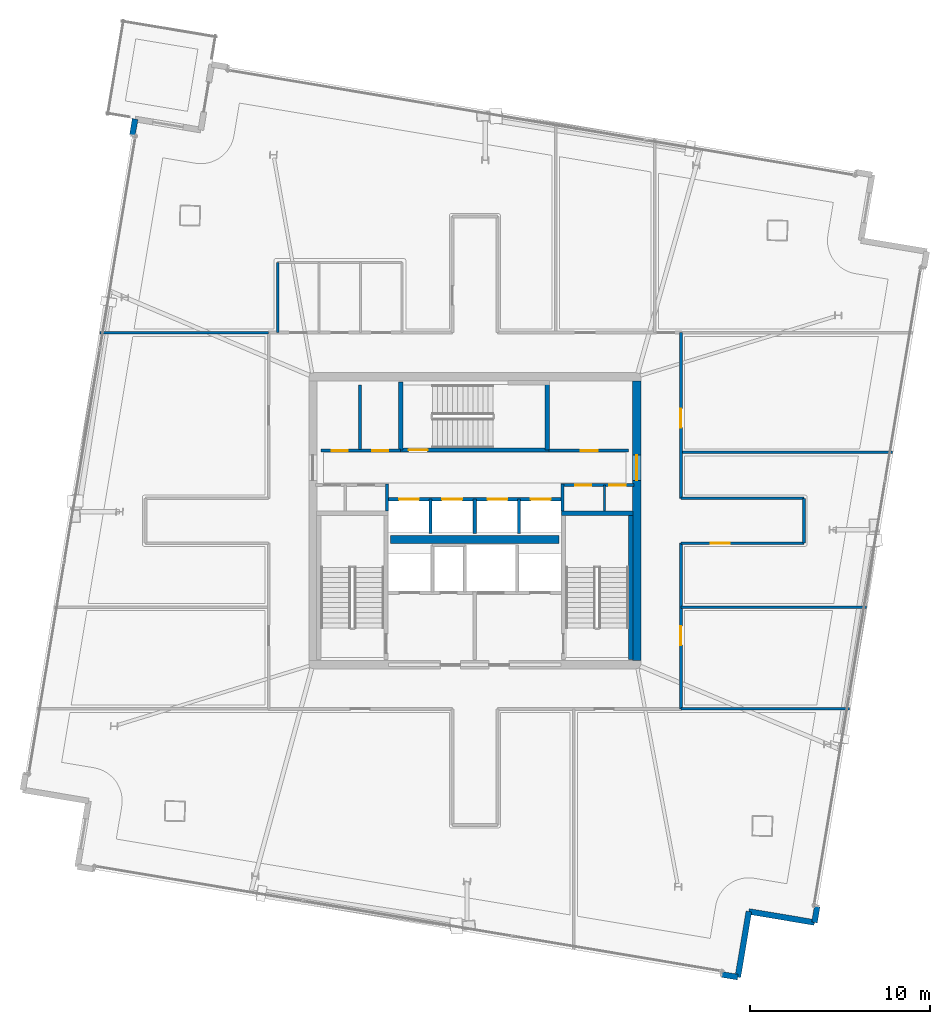
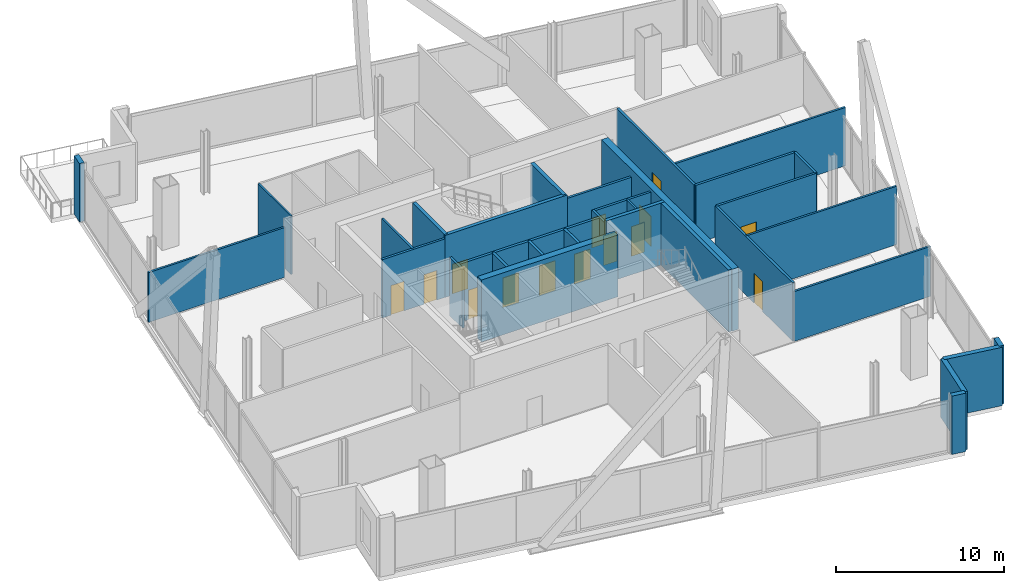
# One storey, part 14 of 18: 33 walls, 14 doors, 14 openings.
"""IFC4 building model written with IfcOpenShell, lengths in metres."""

from ifc_helpers import new_model, si_unit, direction, frame, frame_2d, origin, place, context, subcontext, project, spatial, rectangle, extrude, material, layer, layer_set, type_object, element, fill, save


model = new_model("IFC4")

# Units and contexts
model_context = context("Model", 3, precision=1e-05, world=origin(), true_north=direction((0.0, 1.0)))
body_context = subcontext(model_context, "Body", "Model", "MODEL_VIEW")
ifc_project = project(units=[si_unit("LENGTHUNIT", "METRE"), si_unit("AREAUNIT", "SQUARE_METRE"), si_unit("VOLUMEUNIT", "CUBIC_METRE"), si_unit("PLANEANGLEUNIT", "RADIAN"), si_unit("MASSUNIT", "GRAM", prefix="KILO")], contexts=[model_context])

# Site, building, storey
site_placement = place(None, origin())
site = spatial("IfcSite", under=ifc_project, at=site_placement, CompositionType="ELEMENT")
building_placement = place(site_placement, origin())
building = spatial("IfcBuilding", under=site, at=building_placement, Name="Haldenkirk Collegiate Tower", CompositionType="ELEMENT")
storey_placement = place(building_placement, frame((0.0, 0.0, 298.199951171875)))
storey = spatial("IfcBuildingStorey", under=building, at=storey_placement, Name="L75", CompositionType="ELEMENT", Elevation=298.199951171875)

# Wall, opening, door
ifc_material_1 = material(Name="Concrete f'c 55 MPa", Category="concrete")
ifc_layer_1 = layer(ifc_material_1, 0.449951171875)
ifc_layer_set_1 = layer_set([ifc_layer_1], Name="Concrete f'c 55 MPa")
wall_type_1 = type_object("IfcWallType", Name="WL-CORE-450", PredefinedType="SHEAR", material=ifc_layer_set_1)
wall_1_placement = place(storey_placement, frame((45.0, 18.22509765625, 0.0), z_axis=(0.0, 0.0, 1.0), x_axis=(0.0, 1.0, 0.0)))
wall_1 = element("IfcWall", 1, at=wall_1_placement, inside=storey, type_object=wall_type_1, Name="L75 central core shear wall E", PredefinedType="SHEAR", context=body_context, shape_type="SweptSolid", body=[
    extrude(rectangle(XDim=15.5498046875, YDim=0.449951171875, at=frame_2d((7.77490234375, 0.0))), origin(), (0.0, 0.0, 1.0), 4.5),
])
opening_1_placement = place(wall_1_placement, frame((10.014892578125, 0.0, 0.0)))
opening_1 = element("IfcOpeningElement", 2, at=opening_1_placement, cuts=wall_1, Name="Opening D-03", PredefinedType="OPENING", context=body_context, shape_type="SweptSolid", body=[
    extrude(rectangle(XDim=1.39990234375, YDim=2.199951171875, at=frame_2d((0.699951171875, 1.10009765625))), frame((0.0, 0.23486328125, 0.0), z_axis=(0.0, -1.0, 0.0), x_axis=(1.0, 0.0, 0.0)), (0.0, 0.0, 1.0), 0.469970703125),
])
ifc_material_2 = material(Name="Galvanized fire-rated hollow steel door", Category="steel")
ifc_layer_2 = layer(ifc_material_2, 0.06005859375)
ifc_layer_set_2 = layer_set([ifc_layer_2], Name="Galvanized fire-rated hollow steel door")
door_type_1 = type_object("IfcDoorType", Name="DR-LOBBY-FD90-1400", OperationType="NOTDEFINED", PredefinedType="DOOR", material=ifc_layer_set_2)
door_1_placement = place(opening_1_placement, origin())
door_1 = element("IfcDoor", 3, at=door_1_placement, inside=storey, type_object=door_type_1, Name="L75 east lift lobby portal", OperationType="DOUBLE_DOOR_SINGLE_SWING", OverallHeight=2.199951171875, OverallWidth=1.39990234375, PredefinedType="DOOR", context=body_context, shape_type="SweptSolid", body=[
    extrude(rectangle(XDim=1.39990234375, YDim=2.199951171875, at=frame_2d((0.699951171875, 1.10009765625))), frame((0.0, 0.02490234375, 0.0), z_axis=(0.0, -1.0, 0.0), x_axis=(1.0, 0.0, 0.0)), (0.0, 0.0, 1.0), 0.050048828125),
])
fill(opening_1, door_1)

# Walls
wall_2_placement = place(storey_placement, frame((31.31005859375, 24.949951171875, 0.0), z_axis=(0.0, 0.0, 1.0), x_axis=(1.0, 0.0, 0.0)))
element("IfcWall", 4, at=wall_2_placement, inside=storey, type_object=wall_type_1, Name="L75 central core spine shear wall", PredefinedType="SHEAR", context=body_context, shape_type="SweptSolid", body=[
    extrude(rectangle(XDim=9.3798828125, YDim=0.449951171875, at=frame_2d((4.68994140625, 0.0))), origin(), (0.0, 0.0, 1.0), 4.5),
])
ifc_material_3 = material(Name="Precast concrete f'c 40 MPa", Category="concrete")
ifc_layer_3 = layer(ifc_material_3, 0.320068359375)
ifc_layer_set_3 = layer_set([ifc_layer_3], Name="Precast concrete f'c 40 MPa")
wall_type_2 = type_object("IfcWallType", Name="WL-EXT-TWR-320", PredefinedType="STANDARD", material=ifc_layer_set_3)
for number, where, z_axis, x_axis, name in (
    (5, (55.023193359375, 4.56640625, 0.0), (0.0, 0.0, 1.0), (-0.164926823442, -0.98630580598, 0.0), "L75 precast corner pier SR"),
    (6, (16.976806640625, 47.43359375, 0.0), (0.0, 0.0, 1.0), (0.164926823442, 0.98630580598, 0.0), "L75 precast corner pier NR"),
    (7, (50.61474609375, 0.64013671875, 0.0), (0.0, 0.0, 1.0), (-0.98630580598, 0.164926823442, 0.0), "L75 precast corner pier WL"),
):
    element("IfcWall", number, at=place(storey_placement, frame(where, z_axis=z_axis, x_axis=x_axis)), inside=storey, type_object=wall_type_2, Name=name, PredefinedType="STANDARD", context=body_context, shape_type="SweptSolid", body=[
        extrude(rectangle(XDim=0.89990234375, YDim=0.320068359375, at=frame_2d((0.449951171875, 0.0))), origin(), (0.0, 0.0, 1.0), 4.239990234375),
    ])
for number, where, z_axis, x_axis, name in (
    (8, (51.2255859375, 4.289306640625, 0.0), (0.0, 0.0, 1.0), (-0.165094463979, -0.986277759033, 0.0), "L75 bronze precast notch wall 11"),
    (9, (54.874755859375, 3.6787109375, 0.0), (0.0, 0.0, 1.0), (-0.986288501332, 0.165030276432, 0.0), "L75 bronze precast notch wall 12"),
):
    element("IfcWall", number, at=place(storey_placement, frame(where, z_axis=z_axis, x_axis=x_axis)), inside=storey, type_object=wall_type_2, Name=name, PredefinedType="STANDARD", context=body_context, shape_type="SweptSolid", body=[
        extrude(rectangle(XDim=3.699951171875, YDim=0.320068359375, at=frame_2d((1.85009765625, 0.0))), origin(), (0.0, 0.0, 1.0), 4.239990234375),
    ])
ifc_material_4 = material(Name="Acoustic fire-rated gypsum partition", Category="concrete")
ifc_layer_4 = layer(ifc_material_4, 0.159912109375)
ifc_layer_set_4 = layer_set([ifc_layer_4], Name="Acoustic fire-rated gypsum partition")
wall_type_3 = type_object("IfcWallType", Name="WL-INT-CORR-160", PredefinedType="PARTITIONING", material=ifc_layer_set_4)
wall_3_placement = place(storey_placement, frame((31.1201171875, 26.5400390625, 0.0), z_axis=(0.0, 0.0, 1.0), x_axis=(0.0, 1.0, 0.0)))
element("IfcWall", 10, at=wall_3_placement, inside=storey, type_object=wall_type_3, Name="L75 interior partition IW-L75-VCSW-E", PredefinedType="PARTITIONING", context=body_context, shape_type="SweptSolid", body=[
    extrude(rectangle(XDim=1.510009765625, YDim=0.159912109375, at=frame_2d((0.7548828125, 0.0))), origin(), (0.0, 0.0, 1.0), 4.239990234375),
])

# Wall, openings, doors
wall_4_placement = place(storey_placement, frame((40.800048828125, 27.97998046875, 0.0), z_axis=(0.0, 0.0, 1.0), x_axis=(1.0, 0.0, 0.0)))
wall_4 = element("IfcWall", 11, at=wall_4_placement, inside=storey, type_object=wall_type_3, Name="L75 interior partition IW-L75-VCSE-N", PredefinedType="PARTITIONING", context=body_context, shape_type="SweptSolid", body=[
    extrude(rectangle(XDim=4.050048828125, YDim=0.159912109375, at=frame_2d((2.02490234375, 0.0))), origin(), (0.0, 0.0, 1.0), 4.239990234375),
])
opening_2_placement = place(wall_4_placement, frame((0.77001953125, 0.0, 0.0)))
opening_2 = element("IfcOpeningElement", 12, at=opening_2_placement, cuts=wall_4, Name="Opening D-11", PredefinedType="OPENING", context=body_context, shape_type="SweptSolid", body=[
    extrude(rectangle(XDim=0.89990234375, YDim=2.14990234375, at=frame_2d((0.449951171875, 1.074951171875))), frame((0.0, 0.08984375, 0.0), z_axis=(0.0, -1.0, 0.0), x_axis=(1.0, 0.0, 0.0)), (0.0, 0.0, 1.0), 0.179931640625),
])
opening_3_placement = place(wall_4_placement, frame((2.679931640625, 0.0, 0.0)))
opening_3 = element("IfcOpeningElement", 13, at=opening_3_placement, cuts=wall_4, Name="Opening D-11", PredefinedType="OPENING", context=body_context, shape_type="SweptSolid", body=[
    extrude(rectangle(XDim=0.89990234375, YDim=2.14990234375, at=frame_2d((0.449951171875, 1.074951171875))), frame((0.0, 0.08984375, 0.0), z_axis=(0.0, -1.0, 0.0), x_axis=(1.0, 0.0, 0.0)), (0.0, 0.0, 1.0), 0.179931640625),
])
ifc_material_5 = material(Name="Solid-core architectural oak fire door", Category="wood")
ifc_layer_5 = layer(ifc_material_5, 0.06005859375)
ifc_layer_set_5 = layer_set([ifc_layer_5], Name="Solid-core architectural oak fire door")
door_type_2 = type_object("IfcDoorType", Name="DR-INT-FD60-900", OperationType="NOTDEFINED", PredefinedType="DOOR", material=ifc_layer_set_5)
door_2_placement = place(opening_2_placement, origin())
door_2 = element("IfcDoor", 14, at=door_2_placement, inside=storey, type_object=door_type_2, Name="L75 core archive door", OperationType="SINGLE_SWING_RIGHT", OverallHeight=2.14990234375, OverallWidth=0.89990234375, PredefinedType="DOOR", context=body_context, shape_type="SweptSolid", body=[
    extrude(rectangle(XDim=0.89990234375, YDim=2.14990234375, at=frame_2d((0.449951171875, 1.074951171875))), frame((0.0, 0.02490234375, 0.0), z_axis=(0.0, -1.0, 0.0), x_axis=(1.0, 0.0, 0.0)), (0.0, 0.0, 1.0), 0.050048828125),
])
fill(opening_2, door_2)
door_3_placement = place(opening_3_placement, origin())
door_3 = element("IfcDoor", 15, at=door_3_placement, inside=storey, type_object=door_type_2, Name="L75 core telecom door", OperationType="SINGLE_SWING_LEFT", OverallHeight=2.14990234375, OverallWidth=0.89990234375, PredefinedType="DOOR", context=body_context, shape_type="SweptSolid", body=[
    extrude(rectangle(XDim=0.89990234375, YDim=2.14990234375, at=frame_2d((0.449951171875, 1.074951171875))), frame((0.0, 0.02490234375, 0.0), z_axis=(0.0, -1.0, 0.0), x_axis=(1.0, 0.0, 0.0)), (0.0, 0.0, 1.0), 0.050048828125),
])
fill(opening_3, door_3)

# Wall
wall_5_placement = place(storey_placement, frame((40.8798828125, 26.5400390625, 0.0), z_axis=(0.0, 0.0, 1.0), x_axis=(0.0, 1.0, 0.0)))
element("IfcWall", 16, at=wall_5_placement, inside=storey, type_object=wall_type_3, Name="L75 interior partition IW-L75-VCSE-W", PredefinedType="PARTITIONING", context=body_context, shape_type="SweptSolid", body=[
    extrude(rectangle(XDim=1.510009765625, YDim=0.159912109375, at=frame_2d((0.7548828125, 0.0))), origin(), (0.0, 0.0, 1.0), 4.239990234375),
])

# Wall, openings, doors
wall_6_placement = place(storey_placement, frame((27.449951171875, 29.89990234375, 0.0), z_axis=(0.0, 0.0, 1.0), x_axis=(1.0, 0.0, 0.0)))
wall_6 = element("IfcWall", 17, at=wall_6_placement, inside=storey, type_object=wall_type_3, Name="L75 interior partition IW-L75-PLS", PredefinedType="PARTITIONING", context=body_context, shape_type="SweptSolid", body=[
    extrude(rectangle(XDim=4.429931640625, YDim=0.159912109375, at=frame_2d((2.21484375, 0.0))), origin(), (0.0, 0.0, 1.0), 4.239990234375),
])
opening_4_placement = place(wall_6_placement, frame((0.60009765625, 0.0, 0.0)))
opening_4 = element("IfcOpeningElement", 18, at=opening_4_placement, cuts=wall_6, Name="Opening D-11", PredefinedType="OPENING", context=body_context, shape_type="SweptSolid", body=[
    extrude(rectangle(XDim=0.89990234375, YDim=2.14990234375, at=frame_2d((0.449951171875, 1.074951171875))), frame((0.0, 0.08984375, 0.0), z_axis=(0.0, -1.0, 0.0), x_axis=(1.0, 0.0, 0.0)), (0.0, 0.0, 1.0), 0.179931640625),
])
opening_5_placement = place(wall_6_placement, frame((2.85009765625, 0.0, 0.0)))
opening_5 = element("IfcOpeningElement", 19, at=opening_5_placement, cuts=wall_6, Name="Opening D-11", PredefinedType="OPENING", context=body_context, shape_type="SweptSolid", body=[
    extrude(rectangle(XDim=0.89990234375, YDim=2.14990234375, at=frame_2d((0.449951171875, 1.074951171875))), frame((0.0, 0.08984375, 0.0), z_axis=(0.0, -1.0, 0.0), x_axis=(1.0, 0.0, 0.0)), (0.0, 0.0, 1.0), 0.179931640625),
])
door_4_placement = place(opening_4_placement, origin())
door_4 = element("IfcDoor", 20, at=door_4_placement, inside=storey, type_object=door_type_2, Name="L75 tea kitchen door", OperationType="SINGLE_SWING_RIGHT", OverallHeight=2.14990234375, OverallWidth=0.89990234375, PredefinedType="DOOR", context=body_context, shape_type="SweptSolid", body=[
    extrude(rectangle(XDim=0.89990234375, YDim=2.14990234375, at=frame_2d((0.449951171875, 1.074951171875))), frame((0.0, 0.02490234375, 0.0), z_axis=(0.0, -1.0, 0.0), x_axis=(1.0, 0.0, 0.0)), (0.0, 0.0, 1.0), 0.050048828125),
])
fill(opening_4, door_4)
door_5_placement = place(opening_5_placement, origin())
door_5 = element("IfcDoor", 21, at=door_5_placement, inside=storey, type_object=door_type_2, Name="L75 IT room door", OperationType="SINGLE_SWING_LEFT", OverallHeight=2.14990234375, OverallWidth=0.89990234375, PredefinedType="DOOR", context=body_context, shape_type="SweptSolid", body=[
    extrude(rectangle(XDim=0.89990234375, YDim=2.14990234375, at=frame_2d((0.449951171875, 1.074951171875))), frame((0.0, 0.02490234375, 0.0), z_axis=(0.0, -1.0, 0.0), x_axis=(1.0, 0.0, 0.0)), (0.0, 0.0, 1.0), 0.050048828125),
])
fill(opening_5, door_5)

# Wall, opening, door
wall_7_placement = place(storey_placement, frame((40.1201171875, 29.89990234375, 0.0), z_axis=(0.0, 0.0, 1.0), x_axis=(1.0, 0.0, 0.0)))
wall_7 = element("IfcWall", 22, at=wall_7_placement, inside=storey, type_object=wall_type_3, Name="L75 interior partition IW-L75-PMS", PredefinedType="PARTITIONING", context=body_context, shape_type="SweptSolid", body=[
    extrude(rectangle(XDim=4.429931640625, YDim=0.159912109375, at=frame_2d((2.21484375, 0.0))), origin(), (0.0, 0.0, 1.0), 4.239990234375),
])
opening_6_placement = place(wall_7_placement, frame((1.7548828125, 0.0, 0.0)))
opening_6 = element("IfcOpeningElement", 23, at=opening_6_placement, cuts=wall_7, Name="Opening D-10", PredefinedType="OPENING", context=body_context, shape_type="SweptSolid", body=[
    extrude(rectangle(XDim=0.949951171875, YDim=2.14990234375, at=frame_2d((0.47509765625, 1.074951171875))), frame((0.0, 0.08984375, 0.0), z_axis=(0.0, -1.0, 0.0), x_axis=(1.0, 0.0, 0.0)), (0.0, 0.0, 1.0), 0.179931640625),
])
ifc_layer_6 = layer(ifc_material_5, 0.06005859375)
ifc_layer_set_6 = layer_set([ifc_layer_6], Name="Solid-core architectural oak fire door")
door_type_3 = type_object("IfcDoorType", Name="DR-INT-FD60-950", OperationType="NOTDEFINED", PredefinedType="DOOR", material=ifc_layer_set_6)
door_6_placement = place(opening_6_placement, origin())
door_6 = element("IfcDoor", 24, at=door_6_placement, inside=storey, type_object=door_type_3, Name="L75 reference archive door", OperationType="SINGLE_SWING_RIGHT", OverallHeight=2.14990234375, OverallWidth=0.949951171875, PredefinedType="DOOR", context=body_context, shape_type="SweptSolid", body=[
    extrude(rectangle(XDim=0.949951171875, YDim=2.14990234375, at=frame_2d((0.47509765625, 1.074951171875))), frame((0.0, 0.02490234375, 0.0), z_axis=(0.0, -1.0, 0.0), x_axis=(1.0, 0.0, 0.0)), (0.0, 0.0, 1.0), 0.050048828125),
])
fill(opening_6, door_6)

wall_8_placement = place(storey_placement, frame((47.449951171875, 15.550048828125, 0.0), z_axis=(0.0, 0.0, 1.0), x_axis=(0.0, 1.0, 0.0)))
wall_8 = element("IfcWall", 25, at=wall_8_placement, inside=storey, type_object=wall_type_3, Name="L75 interior partition IW-L75-CE1", PredefinedType="PARTITIONING", context=body_context, shape_type="SweptSolid", body=[
    extrude(rectangle(XDim=9.199951171875, YDim=0.159912109375, at=frame_2d((4.60009765625, 0.0))), origin(), (0.0, 0.0, 1.0), 4.239990234375),
])
opening_7_placement = place(wall_8_placement, frame((3.54296875, 0.0, 0.0)))
opening_7 = element("IfcOpeningElement", 26, at=opening_7_placement, cuts=wall_8, Name="Opening D-09", PredefinedType="OPENING", context=body_context, shape_type="SweptSolid", body=[
    extrude(rectangle(XDim=1.050048828125, YDim=2.14990234375, at=frame_2d((0.52490234375, 1.074951171875))), frame((0.0, 0.08984375, 0.0), z_axis=(0.0, -1.0, 0.0), x_axis=(1.0, 0.0, 0.0)), (0.0, 0.0, 1.0), 0.179931640625),
])
ifc_layer_7 = layer(ifc_material_5, 0.06005859375)
ifc_layer_set_7 = layer_set([ifc_layer_7], Name="Solid-core architectural oak fire door")
door_type_4 = type_object("IfcDoorType", Name="DR-INT-FD60-1050", OperationType="NOTDEFINED", PredefinedType="DOOR", material=ifc_layer_set_7)
door_7_placement = place(opening_7_placement, origin())
door_7 = element("IfcDoor", 27, at=door_7_placement, inside=storey, type_object=door_type_4, Name="L75 Campus Design Shop 8 door", OperationType="SINGLE_SWING_LEFT", OverallHeight=2.14990234375, OverallWidth=1.050048828125, PredefinedType="DOOR", context=body_context, shape_type="SweptSolid", body=[
    extrude(rectangle(XDim=1.050048828125, YDim=2.14990234375, at=frame_2d((0.52490234375, 1.074951171875))), frame((0.0, 0.02490234375, 0.0), z_axis=(0.0, -1.0, 0.0), x_axis=(1.0, 0.0, 0.0)), (0.0, 0.0, 1.0), 0.050048828125),
])
fill(opening_7, door_7)

wall_9_placement = place(storey_placement, frame((47.449951171875, 27.25, 0.0), z_axis=(0.0, 0.0, 1.0), x_axis=(0.0, 1.0, 0.0)))
wall_9 = element("IfcWall", 28, at=wall_9_placement, inside=storey, type_object=wall_type_3, Name="L75 interior partition IW-L75-CE2", PredefinedType="PARTITIONING", context=body_context, shape_type="SweptSolid", body=[
    extrude(rectangle(XDim=9.199951171875, YDim=0.159912109375, at=frame_2d((4.60009765625, 0.0))), origin(), (0.0, 0.0, 1.0), 4.239990234375),
])
opening_8_placement = place(wall_9_placement, frame((3.927001953125, 0.0, 0.0)))
opening_8 = element("IfcOpeningElement", 29, at=opening_8_placement, cuts=wall_9, Name="Opening D-09", PredefinedType="OPENING", context=body_context, shape_type="SweptSolid", body=[
    extrude(rectangle(XDim=1.050048828125, YDim=2.14990234375, at=frame_2d((0.52490234375, 1.074951171875))), frame((0.0, 0.08984375, 0.0), z_axis=(0.0, -1.0, 0.0), x_axis=(1.0, 0.0, 0.0)), (0.0, 0.0, 1.0), 0.179931640625),
])
door_8_placement = place(opening_8_placement, origin())
door_8 = element("IfcDoor", 30, at=door_8_placement, inside=storey, type_object=door_type_4, Name="L75 Architectural Crit Studio 10 door", OperationType="SINGLE_SWING_LEFT", OverallHeight=2.14990234375, OverallWidth=1.050048828125, PredefinedType="DOOR", context=body_context, shape_type="SweptSolid", body=[
    extrude(rectangle(XDim=1.050048828125, YDim=2.14990234375, at=frame_2d((0.52490234375, 1.074951171875))), frame((0.0, 0.02490234375, 0.0), z_axis=(0.0, -1.0, 0.0), x_axis=(1.0, 0.0, 0.0)), (0.0, 0.0, 1.0), 0.050048828125),
])
fill(opening_8, door_8)

wall_10_placement = place(storey_placement, frame((47.449951171875, 24.75, 0.0), z_axis=(0.0, 0.0, 1.0), x_axis=(1.0, 0.0, 0.0)))
wall_10 = element("IfcWall", 31, at=wall_10_placement, inside=storey, type_object=wall_type_3, Name="L75 interior partition IW-L75-EPS", PredefinedType="PARTITIONING", context=body_context, shape_type="SweptSolid", body=[
    extrude(rectangle(XDim=6.85009765625, YDim=0.159912109375, at=frame_2d((3.425048828125, 0.0))), origin(), (0.0, 0.0, 1.0), 4.239990234375),
])
opening_9_placement = place(wall_10_placement, frame((1.6669921875, 0.0, 0.0)))
opening_9 = element("IfcOpeningElement", 32, at=opening_9_placement, cuts=wall_10, Name="Opening D-09", PredefinedType="OPENING", context=body_context, shape_type="SweptSolid", body=[
    extrude(rectangle(XDim=1.050048828125, YDim=2.14990234375, at=frame_2d((0.52490234375, 1.074951171875))), frame((0.0, 0.08984375, 0.0), z_axis=(0.0, -1.0, 0.0), x_axis=(1.0, 0.0, 0.0)), (0.0, 0.0, 1.0), 0.179931640625),
])
door_9_placement = place(opening_9_placement, origin())
door_9 = element("IfcDoor", 33, at=door_9_placement, inside=storey, type_object=door_type_4, Name="L75 Collegiate Supply Shop 9 door", OperationType="SINGLE_SWING_RIGHT", OverallHeight=2.14990234375, OverallWidth=1.050048828125, PredefinedType="DOOR", context=body_context, shape_type="SweptSolid", body=[
    extrude(rectangle(XDim=1.050048828125, YDim=2.14990234375, at=frame_2d((0.52490234375, 1.074951171875))), frame((0.0, 0.02490234375, 0.0), z_axis=(0.0, -1.0, 0.0), x_axis=(1.0, 0.0, 0.0)), (0.0, 0.0, 1.0), 0.050048828125),
])
fill(opening_9, door_9)

# Walls
wall_11_placement = place(storey_placement, frame((47.449951171875, 27.25, 0.0), z_axis=(0.0, 0.0, 1.0), x_axis=(1.0, 0.0, 0.0)))
element("IfcWall", 34, at=wall_11_placement, inside=storey, type_object=wall_type_3, Name="L75 interior partition IW-L75-EPN", PredefinedType="PARTITIONING", context=body_context, shape_type="SweptSolid", body=[
    extrude(rectangle(XDim=6.85009765625, YDim=0.159912109375, at=frame_2d((3.425048828125, 0.0))), origin(), (0.0, 0.0, 1.0), 4.239990234375),
])
wall_12_placement = place(storey_placement, frame((54.300048828125, 24.75, 0.0), z_axis=(0.0, 0.0, 1.0), x_axis=(0.0, 1.0, 0.0)))
element("IfcWall", 35, at=wall_12_placement, inside=storey, type_object=wall_type_3, Name="L75 interior partition IW-L75-EPE", PredefinedType="PARTITIONING", context=body_context, shape_type="SweptSolid", body=[
    extrude(rectangle(XDim=2.5, YDim=0.159912109375, at=frame_2d((1.25, 0.0))), origin(), (0.0, 0.0, 1.0), 4.239990234375),
])
ifc_layer_8 = layer(ifc_material_4, 0.139892578125)
ifc_layer_set_8 = layer_set([ifc_layer_8], Name="Acoustic fire-rated gypsum partition")
wall_type_4 = type_object("IfcWallType", Name="WL-INT-DIV-140", PredefinedType="PARTITIONING", material=ifc_layer_set_8)
wall_13_placement = place(storey_placement, frame((29.6201171875, 29.949951171875, 0.0), z_axis=(0.0, 0.0, 1.0), x_axis=(0.0, 1.0, 0.0)))
element("IfcWall", 36, at=wall_13_placement, inside=storey, type_object=wall_type_4, Name="L75 interior partition IW-L75-PLDIV", PredefinedType="PARTITIONING", context=body_context, shape_type="SweptSolid", body=[
    extrude(rectangle(XDim=3.60009765625, YDim=0.139892578125, at=frame_2d((1.800048828125, 0.0))), origin(), (0.0, 0.0, 1.0), 4.239990234375),
])
for number, where, z_axis, x_axis, name in (
    (37, (15.17919921875, 36.449951171875, 0.0), (0.0, 0.0, 1.0), (1.0, 0.0, 0.0), "L75 interior partition IW-L75-BWN"),
    (38, (47.449951171875, 15.550048828125, 0.0), (0.0, 0.0, 1.0), (1.0, 0.0, 0.0), "L75 interior partition IW-L75-BES"),
):
    element("IfcWall", number, at=place(storey_placement, frame(where, z_axis=z_axis, x_axis=x_axis)), inside=storey, type_object=wall_type_4, Name=name, PredefinedType="PARTITIONING", context=body_context, shape_type="SweptSolid", body=[
        extrude(rectangle(XDim=9.370849609375, YDim=0.139892578125, at=frame_2d((4.685546875, 0.0))), origin(), (0.0, 0.0, 1.0), 3.6181640625),
    ])
wall_14_placement = place(storey_placement, frame((47.449951171875, 21.199951171875, 0.0), z_axis=(0.0, 0.0, 1.0), x_axis=(1.0, 0.0, 0.0)))
element("IfcWall", 39, at=wall_14_placement, inside=storey, type_object=wall_type_4, Name="L75 interior partition IW-L75-RE1", PredefinedType="PARTITIONING", context=body_context, shape_type="SweptSolid", body=[
    extrude(rectangle(XDim=10.31640625, YDim=0.139892578125, at=frame_2d((5.158203125, 0.0))), origin(), (0.0, 0.0, 1.0), 4.239990234375),
])
wall_15_placement = place(storey_placement, frame((47.449951171875, 29.800048828125, 0.0), z_axis=(0.0, 0.0, 1.0), x_axis=(1.0, 0.0, 0.0)))
element("IfcWall", 40, at=wall_15_placement, inside=storey, type_object=wall_type_4, Name="L75 interior partition IW-L75-RE2", PredefinedType="PARTITIONING", context=body_context, shape_type="SweptSolid", body=[
    extrude(rectangle(XDim=11.755615234375, YDim=0.139892578125, at=frame_2d((5.8779296875, 0.0))), origin(), (0.0, 0.0, 1.0), 4.239990234375),
])

# Wall, openings, doors
ifc_material_6 = material(Name="Fire-rated gypsum shaftboard assembly", Category="concrete")
ifc_layer_9 = layer(ifc_material_6, 0.179931640625)
ifc_layer_set_9 = layer_set([ifc_layer_9], Name="Fire-rated gypsum shaftboard assembly")
wall_type_5 = type_object("IfcWallType", Name="WL-INT-SHAFT-180", PredefinedType="PARTITIONING", material=ifc_layer_set_9)
wall_16_placement = place(storey_placement, frame((31.199951171875, 27.199951171875, 0.0), z_axis=(0.0, 0.0, 1.0), x_axis=(1.0, 0.0, 0.0)))
wall_16 = element("IfcWall", 41, at=wall_16_placement, inside=storey, type_object=wall_type_5, Name="L75 interior partition IW-L75-PHN", PredefinedType="PARTITIONING", context=body_context, shape_type="SweptSolid", body=[
    extrude(rectangle(XDim=9.60009765625, YDim=0.179931640625, at=frame_2d((4.800048828125, 0.0))), origin(), (0.0, 0.0, 1.0), 4.239990234375),
])
opening_10_placement = place(wall_16_placement, frame((0.590087890625, 0.0, 0.0)))
opening_10 = element("IfcOpeningElement", 42, at=opening_10_placement, cuts=wall_16, Name="Opening LD-11", PredefinedType="OPENING", context=body_context, shape_type="SweptSolid", body=[
    extrude(rectangle(XDim=1.10009765625, YDim=2.14990234375, at=frame_2d((0.550048828125, 1.074951171875))), frame((0.0, 0.099853515625, 0.0), z_axis=(0.0, -1.0, 0.0), x_axis=(1.0, 0.0, 0.0)), (0.0, 0.0, 1.0), 0.199951171875),
])
opening_11_placement = place(wall_16_placement, frame((2.989990234375, 0.0, 0.0)))
opening_11 = element("IfcOpeningElement", 43, at=opening_11_placement, cuts=wall_16, Name="Opening LD-11", PredefinedType="OPENING", context=body_context, shape_type="SweptSolid", body=[
    extrude(rectangle(XDim=1.10009765625, YDim=2.14990234375, at=frame_2d((0.550048828125, 1.074951171875))), frame((0.0, 0.099853515625, 0.0), z_axis=(0.0, -1.0, 0.0), x_axis=(1.0, 0.0, 0.0)), (0.0, 0.0, 1.0), 0.199951171875),
])
opening_12_placement = place(wall_16_placement, frame((5.510009765625, 0.0, 0.0)))
opening_12 = element("IfcOpeningElement", 44, at=opening_12_placement, cuts=wall_16, Name="Opening LD-11", PredefinedType="OPENING", context=body_context, shape_type="SweptSolid", body=[
    extrude(rectangle(XDim=1.10009765625, YDim=2.14990234375, at=frame_2d((0.550048828125, 1.074951171875))), frame((0.0, 0.099853515625, 0.0), z_axis=(0.0, -1.0, 0.0), x_axis=(1.0, 0.0, 0.0)), (0.0, 0.0, 1.0), 0.199951171875),
])
opening_13_placement = place(wall_16_placement, frame((7.909912109375, 0.0, 0.0)))
opening_13 = element("IfcOpeningElement", 45, at=opening_13_placement, cuts=wall_16, Name="Opening LD-11", PredefinedType="OPENING", context=body_context, shape_type="SweptSolid", body=[
    extrude(rectangle(XDim=1.10009765625, YDim=2.14990234375, at=frame_2d((0.550048828125, 1.074951171875))), frame((0.0, 0.099853515625, 0.0), z_axis=(0.0, -1.0, 0.0), x_axis=(1.0, 0.0, 0.0)), (0.0, 0.0, 1.0), 0.199951171875),
])
ifc_material_7 = material(Name="Brushed architectural stainless steel", Category="steel")
ifc_layer_10 = layer(ifc_material_7, 0.06005859375)
ifc_layer_set_10 = layer_set([ifc_layer_10], Name="Brushed architectural stainless steel")
door_type_5 = type_object("IfcDoorType", Name="LD-PASS-1100", OperationType="NOTDEFINED", PredefinedType="DOOR", material=ifc_layer_set_10)
door_10_placement = place(opening_10_placement, origin())
door_10 = element("IfcDoor", 46, at=door_10_placement, inside=storey, type_object=door_type_5, Name="L75 Elevator PH1 sliding landing door", OperationType="SLIDING_TO_LEFT", OverallHeight=2.14990234375, OverallWidth=1.10009765625, PredefinedType="DOOR", context=body_context, shape_type="SweptSolid", body=[
    extrude(rectangle(XDim=1.10009765625, YDim=2.14990234375, at=frame_2d((0.550048828125, 1.074951171875))), frame((0.0, 0.02490234375, 0.0), z_axis=(0.0, -1.0, 0.0), x_axis=(1.0, 0.0, 0.0)), (0.0, 0.0, 1.0), 0.050048828125),
])
fill(opening_10, door_10)
door_11_placement = place(opening_11_placement, origin())
door_11 = element("IfcDoor", 47, at=door_11_placement, inside=storey, type_object=door_type_5, Name="L75 Elevator PH2 sliding landing door", OperationType="SLIDING_TO_LEFT", OverallHeight=2.14990234375, OverallWidth=1.10009765625, PredefinedType="DOOR", context=body_context, shape_type="SweptSolid", body=[
    extrude(rectangle(XDim=1.10009765625, YDim=2.14990234375, at=frame_2d((0.550048828125, 1.074951171875))), frame((0.0, 0.02490234375, 0.0), z_axis=(0.0, -1.0, 0.0), x_axis=(1.0, 0.0, 0.0)), (0.0, 0.0, 1.0), 0.050048828125),
])
fill(opening_11, door_11)
door_12_placement = place(opening_12_placement, origin())
door_12 = element("IfcDoor", 48, at=door_12_placement, inside=storey, type_object=door_type_5, Name="L75 Elevator PH3 sliding landing door", OperationType="SLIDING_TO_LEFT", OverallHeight=2.14990234375, OverallWidth=1.10009765625, PredefinedType="DOOR", context=body_context, shape_type="SweptSolid", body=[
    extrude(rectangle(XDim=1.10009765625, YDim=2.14990234375, at=frame_2d((0.550048828125, 1.074951171875))), frame((0.0, 0.02490234375, 0.0), z_axis=(0.0, -1.0, 0.0), x_axis=(1.0, 0.0, 0.0)), (0.0, 0.0, 1.0), 0.050048828125),
])
fill(opening_12, door_12)
door_13_placement = place(opening_13_placement, origin())
door_13 = element("IfcDoor", 49, at=door_13_placement, inside=storey, type_object=door_type_5, Name="L75 Elevator PH4 sliding landing door", OperationType="SLIDING_TO_LEFT", OverallHeight=2.14990234375, OverallWidth=1.10009765625, PredefinedType="DOOR", context=body_context, shape_type="SweptSolid", body=[
    extrude(rectangle(XDim=1.10009765625, YDim=2.14990234375, at=frame_2d((0.550048828125, 1.074951171875))), frame((0.0, 0.02490234375, 0.0), z_axis=(0.0, -1.0, 0.0), x_axis=(1.0, 0.0, 0.0)), (0.0, 0.0, 1.0), 0.050048828125),
])
fill(opening_13, door_13)

# Walls
for number, where, z_axis, x_axis, name in (
    (50, (33.5400390625, 25.300048828125, 0.0), (0.0, 0.0, 1.0), (0.0, 1.0, 0.0), "L75 interior partition IW-L75-PHV1"),
    (51, (36.0, 25.300048828125, 0.0), (0.0, 0.0, 1.0), (0.0, 1.0, 0.0), "L75 interior partition IW-L75-PHV2"),
    (52, (38.4599609375, 25.300048828125, 0.0), (0.0, 0.0, 1.0), (0.0, 1.0, 0.0), "L75 interior partition IW-L75-PHV3"),
):
    element("IfcWall", number, at=place(storey_placement, frame(where, z_axis=z_axis, x_axis=x_axis)), inside=storey, type_object=wall_type_5, Name=name, PredefinedType="PARTITIONING", context=body_context, shape_type="SweptSolid", body=[
        extrude(rectangle(XDim=1.89990234375, YDim=0.179931640625, at=frame_2d((0.949951171875, 0.0))), origin(), (0.0, 0.0, 1.0), 4.239990234375),
    ])
ifc_layer_11 = layer(ifc_material_4, 0.1201171875)
ifc_layer_set_11 = layer_set([ifc_layer_11], Name="Acoustic fire-rated gypsum partition")
wall_type_6 = type_object("IfcWallType", Name="WL-INT-WET-120", PredefinedType="PARTITIONING", material=ifc_layer_set_11)
wall_17_placement = place(storey_placement, frame((43.199951171875, 26.5400390625, 0.0), z_axis=(0.0, 0.0, 1.0), x_axis=(0.0, 1.0, 0.0)))
element("IfcWall", 53, at=wall_17_placement, inside=storey, type_object=wall_type_6, Name="L75 interior partition IW-L75-VCSE-M", PredefinedType="PARTITIONING", context=body_context, shape_type="SweptSolid", body=[
    extrude(rectangle(XDim=1.43994140625, YDim=0.1201171875, at=frame_2d((0.719970703125, 0.0))), origin(), (0.0, 0.0, 1.0), 4.239990234375),
])
wall_18_placement = place(storey_placement, frame((25.050048828125, 36.449951171875, 0.0), z_axis=(0.0, 0.0, 1.0), x_axis=(0.0, 1.0, 0.0)))
element("IfcWall", 54, at=wall_18_placement, inside=storey, type_object=wall_type_6, Name="L75 interior partition IW-L75-WCW", PredefinedType="PARTITIONING", context=body_context, shape_type="SweptSolid", body=[
    extrude(rectangle(XDim=3.900146484375, YDim=0.1201171875, at=frame_2d((1.9501953125, 0.0))), origin(), (0.0, 0.0, 1.0), 4.239990234375),
])
ifc_layer_12 = layer(ifc_material_1, 0.239990234375)
ifc_layer_set_12 = layer_set([ifc_layer_12], Name="Concrete f'c 55 MPa")
wall_type_7 = type_object("IfcWallType", Name="WL-SHAFT-240", PredefinedType="SHEAR", material=ifc_layer_set_12)
wall_19_placement = place(storey_placement, frame((40.81005859375, 26.419921875, 0.0), z_axis=(0.0, 0.0, 1.0), x_axis=(1.0, 0.0, 0.0)))
element("IfcWall", 55, at=wall_19_placement, inside=storey, type_object=wall_type_7, Name="L75 stair shaft shear wall SW-L75-ST2N", PredefinedType="SHEAR", context=body_context, shape_type="SweptSolid", body=[
    extrude(rectangle(XDim=3.97998046875, YDim=0.239990234375, at=frame_2d((1.989990234375, 0.0))), origin(), (0.0, 0.0, 1.0), 4.5),
])
wall_20_placement = place(storey_placement, frame((44.669921875, 18.280029296875, 0.0), z_axis=(0.0, 0.0, 1.0), x_axis=(0.0, 1.0, 0.0)))
element("IfcWall", 56, at=wall_20_placement, inside=storey, type_object=wall_type_7, Name="L75 stair shaft shear wall SW-L75-ST2E", PredefinedType="SHEAR", context=body_context, shape_type="SweptSolid", body=[
    extrude(rectangle(XDim=8.260009765625, YDim=0.239990234375, at=frame_2d((4.1298828125, 0.0))), origin(), (0.0, 0.0, 1.0), 4.5),
])

# Wall, opening, door
wall_21_placement = place(storey_placement, frame((31.760009765625, 29.929931640625, 0.0), z_axis=(0.0, 0.0, 1.0), x_axis=(1.0, 0.0, 0.0)))
wall_21 = element("IfcWall", 57, at=wall_21_placement, inside=storey, type_object=wall_type_7, Name="L75 stair shaft shear wall SW-L75-ST3S", PredefinedType="SHEAR", context=body_context, shape_type="SweptSolid", body=[
    extrude(rectangle(XDim=8.3798828125, YDim=0.239990234375, at=frame_2d((4.18994140625, 0.0))), origin(), (0.0, 0.0, 1.0), 4.5),
])
opening_14_placement = place(wall_21_placement, frame((0.56494140625, 0.0, 0.0)))
opening_14 = element("IfcOpeningElement", 58, at=opening_14_placement, cuts=wall_21, Name="Opening D-01", PredefinedType="OPENING", context=body_context, shape_type="SweptSolid", body=[
    extrude(rectangle(XDim=1.050048828125, YDim=2.14990234375, at=frame_2d((0.52490234375, 1.074951171875))), frame((0.0, 0.1298828125, 0.0), z_axis=(0.0, -1.0, 0.0), x_axis=(1.0, 0.0, 0.0)), (0.0, 0.0, 1.0), 0.260009765625),
])
ifc_layer_13 = layer(ifc_material_2, 0.06005859375)
ifc_layer_set_13 = layer_set([ifc_layer_13], Name="Galvanized fire-rated hollow steel door")
door_type_6 = type_object("IfcDoorType", Name="DR-STAIR-FD90-1050", OperationType="NOTDEFINED", PredefinedType="DOOR", material=ifc_layer_set_13)
door_14_placement = place(opening_14_placement, origin())
door_14 = element("IfcDoor", 59, at=door_14_placement, inside=storey, type_object=door_type_6, Name="L75 lift lobby Stair 3 door", OperationType="SINGLE_SWING_LEFT", OverallHeight=2.14990234375, OverallWidth=1.050048828125, PredefinedType="DOOR", context=body_context, shape_type="SweptSolid", body=[
    extrude(rectangle(XDim=1.050048828125, YDim=2.14990234375, at=frame_2d((0.52490234375, 1.074951171875))), frame((0.0, 0.02490234375, 0.0), z_axis=(0.0, -1.0, 0.0), x_axis=(1.0, 0.0, 0.0)), (0.0, 0.0, 1.0), 0.050048828125),
])
fill(opening_14, door_14)

# Walls
wall_22_placement = place(storey_placement, frame((31.8798828125, 29.929931640625, 0.0), z_axis=(0.0, 0.0, 1.0), x_axis=(0.0, 1.0, 0.0)))
element("IfcWall", 60, at=wall_22_placement, inside=storey, type_object=wall_type_7, Name="L75 stair shaft shear wall SW-L75-ST3W", PredefinedType="SHEAR", context=body_context, shape_type="SweptSolid", body=[
    extrude(rectangle(XDim=3.7900390625, YDim=0.239990234375, at=frame_2d((1.89501953125, 0.0))), origin(), (0.0, 0.0, 1.0), 4.5),
])
wall_23_placement = place(storey_placement, frame((40.02001953125, 29.929931640625, 0.0), z_axis=(0.0, 0.0, 1.0), x_axis=(0.0, 1.0, 0.0)))
element("IfcWall", 61, at=wall_23_placement, inside=storey, type_object=wall_type_7, Name="L75 stair shaft shear wall SW-L75-ST3E", PredefinedType="SHEAR", context=body_context, shape_type="SweptSolid", body=[
    extrude(rectangle(XDim=3.85009765625, YDim=0.239990234375, at=frame_2d((1.925048828125, 0.0))), origin(), (0.0, 0.0, 1.0), 4.5),
])

save(model, "model.ifc")
